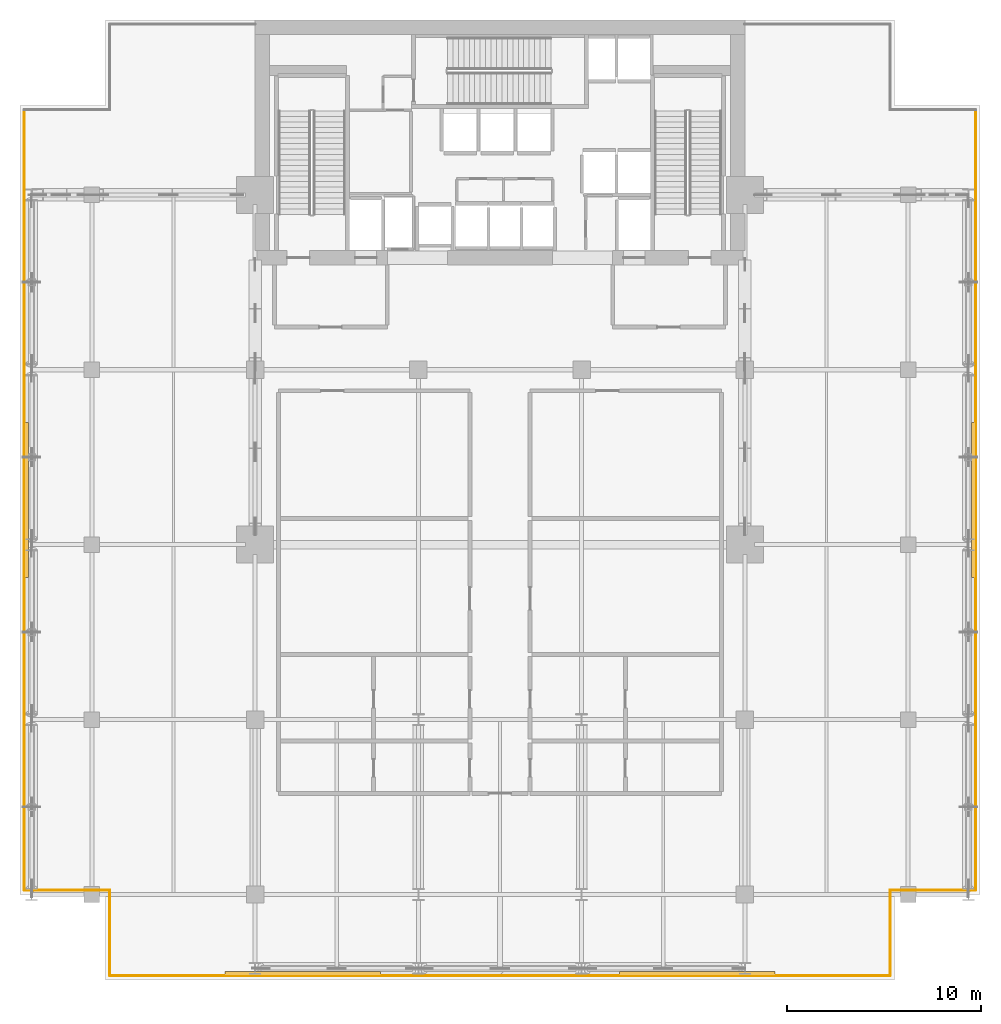
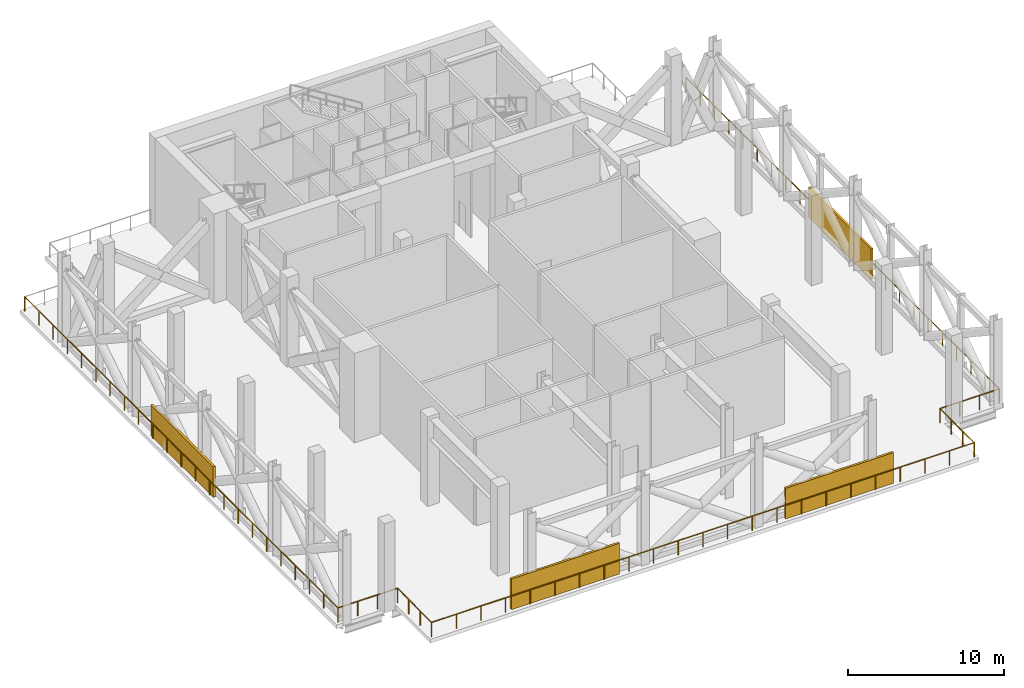
# One storey, part 12 of 14: 7 railings, 4 shading devices.
"""IFC4 building model written with IfcOpenShell, lengths in metres."""

from ifc_helpers import new_model, si_unit, direction, frame, origin, origin_2d, place, context, subcontext, project, spatial, rectangle, circle, extrude, material, layer, layer_set, type_object, element, save


model = new_model("IFC4")

# Units and contexts
model_context = context("Model", 3, precision=1e-05, world=origin(), true_north=direction((0.0, 1.0)))
body_context = subcontext(model_context, "Body", "Model", "MODEL_VIEW")
ifc_project = project(units=[si_unit("LENGTHUNIT", "METRE"), si_unit("AREAUNIT", "SQUARE_METRE"), si_unit("VOLUMEUNIT", "CUBIC_METRE"), si_unit("PLANEANGLEUNIT", "RADIAN"), si_unit("MASSUNIT", "GRAM", prefix="KILO")], contexts=[model_context])

# Site, building, storey
site_placement = place(None, origin())
site = spatial("IfcSite", under=ifc_project, at=site_placement, CompositionType="ELEMENT")
building_placement = place(site_placement, origin())
building = spatial("IfcBuilding", under=site, at=building_placement, Name="Maruvema Waterfront Hotel and Observation Tower", CompositionType="ELEMENT")
storey_placement = place(building_placement, frame((0.0, 0.0, 227.5)))
storey = spatial("IfcBuildingStorey", under=building, at=storey_placement, Name="L56", CompositionType="ELEMENT", Elevation=227.5)

# Shading devices
ifc_material_1 = material(Name="Anodised architectural bronze aluminium", Category="aluminium")
ifc_layer = layer(ifc_material_1, 0.14990234375, Name="Acoustic Weatherproof Plant Louvre Panel 150 mm")
ifc_layer_set = layer_set([ifc_layer], Name="Anodised architectural bronze aluminium")
shading_device_type = type_object("IfcShadingDeviceType", Name="Acoustic Weatherproof Plant Louvre Panel 150 mm", PredefinedType="JALOUSIE", material=ifc_layer_set)
for number, where, z_axis, x_axis, name in (
    (1, (27.64990234375, 4.949951171875, 0.0), (0.0, 0.0, 1.0), (1.0, 0.0, 0.0), "L56 Wind-Floor Acoustic Weather Louvre S1"),
    (2, (47.949951171875, 4.949951171875, 0.0), (0.0, 0.0, 1.0), (1.0, 0.0, 0.0), "L56 Wind-Floor Acoustic Weather Louvre S2"),
    (3, (13.449951171875, 29.300048828125, 0.0), (0.0, 0.0, 1.0), (0.0, 1.0, 0.0), "L56 Wind-Floor Acoustic Weather Louvre W1"),
    (4, (62.14990234375, 29.300048828125, 0.0), (0.0, 0.0, 1.0), (0.0, 1.0, 0.0), "L56 Wind-Floor Acoustic Weather Louvre E1"),
):
    element("IfcShadingDevice", number, at=place(storey_placement, frame(where, z_axis=z_axis, x_axis=x_axis)), inside=storey, type_object=shading_device_type, Name=name, PredefinedType="JALOUSIE", context=body_context, shape_type="SweptSolid", body=[
        extrude(rectangle(XDim=8.0, YDim=0.159912109375, at=origin_2d()), origin(), (0.0, 0.0, 1.0), 2.39990234375),
    ])

# Railings
ifc_material_2 = material(Name="Duplex stainless steel Grade 2205 and laminated glass", Category="steel")
railing_type = type_object("IfcRailingType", Name="Wind-Floor Open Deck Safety Balustrade 1150 mm", PredefinedType="BALUSTRADE", material=ifc_material_2)
railing_1_placement = place(storey_placement, frame((17.719970703125, 4.820068359375, 0.0)))
element("IfcRailing", 5, at=railing_1_placement, inside=storey, type_object=railing_type, Name="L56 Perimeter Safety Balustrade 1", PredefinedType="BALUSTRADE", context=body_context, shape_type="SweptSolid", body=[
    extrude(circle(Radius=0.02392578125, at=origin_2d()), frame((0.0, 0.0, 1.1259765625), z_axis=(0.0, 1.0, 0.0), x_axis=(-1.0, 0.0, 0.0)), (0.0, 0.0, 1.0), 4.39990234375),
    extrude(circle(Radius=0.02099609375, at=origin_2d()), origin(), (0.0, 0.0, 1.0), 1.101806640625),
    extrude(circle(Radius=0.02099609375, at=origin_2d()), frame((0.0, 1.466552734375, 0.0)), (0.0, 0.0, 1.0), 1.101806640625),
    extrude(circle(Radius=0.02099609375, at=origin_2d()), frame((0.0, 2.933349609375, 0.0)), (0.0, 0.0, 1.0), 1.101806640625),
    extrude(circle(Radius=0.02099609375, at=origin_2d()), frame((0.0, 4.39990234375, 0.0)), (0.0, 0.0, 1.0), 1.101806640625),
])
railing_2_placement = place(storey_placement, frame((17.719970703125, 9.219970703125, 0.0)))
element("IfcRailing", 6, at=railing_2_placement, inside=storey, type_object=railing_type, Name="L56 Perimeter Safety Balustrade 2", PredefinedType="BALUSTRADE", context=body_context, shape_type="SweptSolid", body=[
    extrude(circle(Radius=0.02392578125, at=origin_2d()), frame((0.0, 0.0, 1.1259765625), z_axis=(-1.0, 0.0, 0.0), x_axis=(0.0, -1.0, 0.0)), (0.0, 0.0, 1.0), 4.39990234375),
    extrude(circle(Radius=0.02099609375, at=origin_2d()), origin(), (0.0, 0.0, 1.0), 1.101806640625),
    extrude(circle(Radius=0.02099609375, at=origin_2d()), frame((-1.466552734375, 0.0, 0.0)), (0.0, 0.0, 1.0), 1.101806640625),
    extrude(circle(Radius=0.02099609375, at=origin_2d()), frame((-2.933349609375, 0.0, 0.0)), (0.0, 0.0, 1.0), 1.101806640625),
    extrude(circle(Radius=0.02099609375, at=origin_2d()), frame((-4.39990234375, 0.0, 0.0)), (0.0, 0.0, 1.0), 1.101806640625),
])
railing_3_placement = place(storey_placement, frame((13.320068359375, 9.219970703125, 0.0)))
element("IfcRailing", 7, at=railing_3_placement, inside=storey, type_object=railing_type, Name="L56 Perimeter Safety Balustrade 3", PredefinedType="BALUSTRADE", context=body_context, shape_type="SweptSolid", body=[
    extrude(circle(Radius=0.02392578125, at=origin_2d()), frame((0.0, 0.0, 1.1259765625), z_axis=(0.0, 1.0, 0.0), x_axis=(-1.0, 0.0, 0.0)), (0.0, 0.0, 1.0), 40.159912109375),
    extrude(circle(Radius=0.02099609375, at=origin_2d()), origin(), (0.0, 0.0, 1.0), 1.101806640625),
    extrude(circle(Radius=0.02099609375, at=origin_2d()), frame((0.0, 1.825439453125, 0.0)), (0.0, 0.0, 1.0), 1.101806640625),
    extrude(circle(Radius=0.02099609375, at=origin_2d()), frame((0.0, 3.65087890625, 0.0)), (0.0, 0.0, 1.0), 1.101806640625),
    extrude(circle(Radius=0.02099609375, at=origin_2d()), frame((0.0, 5.476318359375, 0.0)), (0.0, 0.0, 1.0), 1.101806640625),
    extrude(circle(Radius=0.02099609375, at=origin_2d()), frame((0.0, 7.3017578125, 0.0)), (0.0, 0.0, 1.0), 1.101806640625),
    extrude(circle(Radius=0.02099609375, at=origin_2d()), frame((0.0, 9.127197265625, 0.0)), (0.0, 0.0, 1.0), 1.101806640625),
    extrude(circle(Radius=0.02099609375, at=origin_2d()), frame((0.0, 10.95263671875, 0.0)), (0.0, 0.0, 1.0), 1.101806640625),
    extrude(circle(Radius=0.02099609375, at=origin_2d()), frame((0.0, 12.778076171875, 0.0)), (0.0, 0.0, 1.0), 1.101806640625),
    extrude(circle(Radius=0.02099609375, at=origin_2d()), frame((0.0, 14.603515625, 0.0)), (0.0, 0.0, 1.0), 1.101806640625),
    extrude(circle(Radius=0.02099609375, at=origin_2d()), frame((0.0, 16.428955078125, 0.0)), (0.0, 0.0, 1.0), 1.101806640625),
    extrude(circle(Radius=0.02099609375, at=origin_2d()), frame((0.0, 18.25439453125, 0.0)), (0.0, 0.0, 1.0), 1.101806640625),
    extrude(circle(Radius=0.02099609375, at=origin_2d()), frame((0.0, 20.080078125, 0.0)), (0.0, 0.0, 1.0), 1.101806640625),
    extrude(circle(Radius=0.02099609375, at=origin_2d()), frame((0.0, 21.905517578125, 0.0)), (0.0, 0.0, 1.0), 1.101806640625),
    extrude(circle(Radius=0.02099609375, at=origin_2d()), frame((0.0, 23.73095703125, 0.0)), (0.0, 0.0, 1.0), 1.101806640625),
    extrude(circle(Radius=0.02099609375, at=origin_2d()), frame((0.0, 25.556396484375, 0.0)), (0.0, 0.0, 1.0), 1.101806640625),
    extrude(circle(Radius=0.02099609375, at=origin_2d()), frame((0.0, 27.3818359375, 0.0)), (0.0, 0.0, 1.0), 1.101806640625),
    extrude(circle(Radius=0.02099609375, at=origin_2d()), frame((0.0, 29.207275390625, 0.0)), (0.0, 0.0, 1.0), 1.101806640625),
    extrude(circle(Radius=0.02099609375, at=origin_2d()), frame((0.0, 31.03271484375, 0.0)), (0.0, 0.0, 1.0), 1.101806640625),
    extrude(circle(Radius=0.02099609375, at=origin_2d()), frame((0.0, 32.858154296875, 0.0)), (0.0, 0.0, 1.0), 1.101806640625),
    extrude(circle(Radius=0.02099609375, at=origin_2d()), frame((0.0, 34.68359375, 0.0)), (0.0, 0.0, 1.0), 1.101806640625),
    extrude(circle(Radius=0.02099609375, at=origin_2d()), frame((0.0, 36.509033203125, 0.0)), (0.0, 0.0, 1.0), 1.101806640625),
    extrude(circle(Radius=0.02099609375, at=origin_2d()), frame((0.0, 38.33447265625, 0.0)), (0.0, 0.0, 1.0), 1.101806640625),
    extrude(circle(Radius=0.02099609375, at=origin_2d()), frame((0.0, 40.159912109375, 0.0)), (0.0, 0.0, 1.0), 1.101806640625),
])
railing_4_placement = place(storey_placement, frame((62.280029296875, 49.3798828125, 0.0)))
element("IfcRailing", 8, at=railing_4_placement, inside=storey, type_object=railing_type, Name="L56 Perimeter Safety Balustrade 10", PredefinedType="BALUSTRADE", context=body_context, shape_type="SweptSolid", body=[
    extrude(circle(Radius=0.02392578125, at=origin_2d()), frame((0.0, 0.0, 1.1259765625), z_axis=(0.0, -1.0, 0.0), x_axis=(1.0, 0.0, 0.0)), (0.0, 0.0, 1.0), 40.159912109375),
    extrude(circle(Radius=0.02099609375, at=origin_2d()), origin(), (0.0, 0.0, 1.0), 1.101806640625),
    extrude(circle(Radius=0.02099609375, at=origin_2d()), frame((0.0, -1.825439453125, 0.0)), (0.0, 0.0, 1.0), 1.101806640625),
    extrude(circle(Radius=0.02099609375, at=origin_2d()), frame((0.0, -3.65087890625, 0.0)), (0.0, 0.0, 1.0), 1.101806640625),
    extrude(circle(Radius=0.02099609375, at=origin_2d()), frame((0.0, -5.476318359375, 0.0)), (0.0, 0.0, 1.0), 1.101806640625),
    extrude(circle(Radius=0.02099609375, at=origin_2d()), frame((0.0, -7.3017578125, 0.0)), (0.0, 0.0, 1.0), 1.101806640625),
    extrude(circle(Radius=0.02099609375, at=origin_2d()), frame((0.0, -9.127197265625, 0.0)), (0.0, 0.0, 1.0), 1.101806640625),
    extrude(circle(Radius=0.02099609375, at=origin_2d()), frame((0.0, -10.95263671875, 0.0)), (0.0, 0.0, 1.0), 1.101806640625),
    extrude(circle(Radius=0.02099609375, at=origin_2d()), frame((0.0, -12.778076171875, 0.0)), (0.0, 0.0, 1.0), 1.101806640625),
    extrude(circle(Radius=0.02099609375, at=origin_2d()), frame((0.0, -14.603515625, 0.0)), (0.0, 0.0, 1.0), 1.101806640625),
    extrude(circle(Radius=0.02099609375, at=origin_2d()), frame((0.0, -16.428955078125, 0.0)), (0.0, 0.0, 1.0), 1.101806640625),
    extrude(circle(Radius=0.02099609375, at=origin_2d()), frame((0.0, -18.25439453125, 0.0)), (0.0, 0.0, 1.0), 1.101806640625),
    extrude(circle(Radius=0.02099609375, at=origin_2d()), frame((0.0, -20.080078125, 0.0)), (0.0, 0.0, 1.0), 1.101806640625),
    extrude(circle(Radius=0.02099609375, at=origin_2d()), frame((0.0, -21.905517578125, 0.0)), (0.0, 0.0, 1.0), 1.101806640625),
    extrude(circle(Radius=0.02099609375, at=origin_2d()), frame((0.0, -23.73095703125, 0.0)), (0.0, 0.0, 1.0), 1.101806640625),
    extrude(circle(Radius=0.02099609375, at=origin_2d()), frame((0.0, -25.556396484375, 0.0)), (0.0, 0.0, 1.0), 1.101806640625),
    extrude(circle(Radius=0.02099609375, at=origin_2d()), frame((0.0, -27.3818359375, 0.0)), (0.0, 0.0, 1.0), 1.101806640625),
    extrude(circle(Radius=0.02099609375, at=origin_2d()), frame((0.0, -29.207275390625, 0.0)), (0.0, 0.0, 1.0), 1.101806640625),
    extrude(circle(Radius=0.02099609375, at=origin_2d()), frame((0.0, -31.03271484375, 0.0)), (0.0, 0.0, 1.0), 1.101806640625),
    extrude(circle(Radius=0.02099609375, at=origin_2d()), frame((0.0, -32.858154296875, 0.0)), (0.0, 0.0, 1.0), 1.101806640625),
    extrude(circle(Radius=0.02099609375, at=origin_2d()), frame((0.0, -34.68359375, 0.0)), (0.0, 0.0, 1.0), 1.101806640625),
    extrude(circle(Radius=0.02099609375, at=origin_2d()), frame((0.0, -36.509033203125, 0.0)), (0.0, 0.0, 1.0), 1.101806640625),
    extrude(circle(Radius=0.02099609375, at=origin_2d()), frame((0.0, -38.33447265625, 0.0)), (0.0, 0.0, 1.0), 1.101806640625),
    extrude(circle(Radius=0.02099609375, at=origin_2d()), frame((0.0, -40.159912109375, 0.0)), (0.0, 0.0, 1.0), 1.101806640625),
])
railing_5_placement = place(storey_placement, frame((62.280029296875, 9.219970703125, 0.0)))
element("IfcRailing", 9, at=railing_5_placement, inside=storey, type_object=railing_type, Name="L56 Perimeter Safety Balustrade 11", PredefinedType="BALUSTRADE", context=body_context, shape_type="SweptSolid", body=[
    extrude(circle(Radius=0.02392578125, at=origin_2d()), frame((0.0, 0.0, 1.1259765625), z_axis=(-1.0, 0.0, 0.0), x_axis=(0.0, -1.0, 0.0)), (0.0, 0.0, 1.0), 4.400146484375),
    extrude(circle(Radius=0.02099609375, at=origin_2d()), origin(), (0.0, 0.0, 1.0), 1.101806640625),
    extrude(circle(Radius=0.02099609375, at=origin_2d()), frame((-1.466796875, 0.0, 0.0)), (0.0, 0.0, 1.0), 1.101806640625),
    extrude(circle(Radius=0.02099609375, at=origin_2d()), frame((-2.933349609375, 0.0, 0.0)), (0.0, 0.0, 1.0), 1.101806640625),
    extrude(circle(Radius=0.02099609375, at=origin_2d()), frame((-4.400146484375, 0.0, 0.0)), (0.0, 0.0, 1.0), 1.101806640625),
])
railing_6_placement = place(storey_placement, frame((57.8798828125, 9.219970703125, 0.0)))
element("IfcRailing", 10, at=railing_6_placement, inside=storey, type_object=railing_type, Name="L56 Perimeter Safety Balustrade 12", PredefinedType="BALUSTRADE", context=body_context, shape_type="SweptSolid", body=[
    extrude(circle(Radius=0.02392578125, at=origin_2d()), frame((0.0, 0.0, 1.1259765625), z_axis=(0.0, -1.0, 0.0), x_axis=(1.0, 0.0, 0.0)), (0.0, 0.0, 1.0), 4.39990234375),
    extrude(circle(Radius=0.02099609375, at=origin_2d()), origin(), (0.0, 0.0, 1.0), 1.101806640625),
    extrude(circle(Radius=0.02099609375, at=origin_2d()), frame((0.0, -1.466552734375, 0.0)), (0.0, 0.0, 1.0), 1.101806640625),
    extrude(circle(Radius=0.02099609375, at=origin_2d()), frame((0.0, -2.933349609375, 0.0)), (0.0, 0.0, 1.0), 1.101806640625),
    extrude(circle(Radius=0.02099609375, at=origin_2d()), frame((0.0, -4.39990234375, 0.0)), (0.0, 0.0, 1.0), 1.101806640625),
])
railing_7_placement = place(storey_placement, frame((57.8798828125, 4.820068359375, 0.0)))
element("IfcRailing", 11, at=railing_7_placement, inside=storey, type_object=railing_type, Name="L56 Perimeter Safety Balustrade 13", PredefinedType="BALUSTRADE", context=body_context, shape_type="SweptSolid", body=[
    extrude(circle(Radius=0.02392578125, at=origin_2d()), frame((0.0, 0.0, 1.1259765625), z_axis=(-1.0, 0.0, 0.0), x_axis=(0.0, -1.0, 0.0)), (0.0, 0.0, 1.0), 40.159912109375),
    extrude(circle(Radius=0.02099609375, at=origin_2d()), origin(), (0.0, 0.0, 1.0), 1.101806640625),
    extrude(circle(Radius=0.02099609375, at=origin_2d()), frame((-1.825439453125, 0.0, 0.0)), (0.0, 0.0, 1.0), 1.101806640625),
    extrude(circle(Radius=0.02099609375, at=origin_2d()), frame((-3.65087890625, 0.0, 0.0)), (0.0, 0.0, 1.0), 1.101806640625),
    extrude(circle(Radius=0.02099609375, at=origin_2d()), frame((-5.476318359375, 0.0, 0.0)), (0.0, 0.0, 1.0), 1.101806640625),
    extrude(circle(Radius=0.02099609375, at=origin_2d()), frame((-7.3017578125, 0.0, 0.0)), (0.0, 0.0, 1.0), 1.101806640625),
    extrude(circle(Radius=0.02099609375, at=origin_2d()), frame((-9.127197265625, 0.0, 0.0)), (0.0, 0.0, 1.0), 1.101806640625),
    extrude(circle(Radius=0.02099609375, at=origin_2d()), frame((-10.95263671875, 0.0, 0.0)), (0.0, 0.0, 1.0), 1.101806640625),
    extrude(circle(Radius=0.02099609375, at=origin_2d()), frame((-12.778076171875, 0.0, 0.0)), (0.0, 0.0, 1.0), 1.101806640625),
    extrude(circle(Radius=0.02099609375, at=origin_2d()), frame((-14.603515625, 0.0, 0.0)), (0.0, 0.0, 1.0), 1.101806640625),
    extrude(circle(Radius=0.02099609375, at=origin_2d()), frame((-16.428955078125, 0.0, 0.0)), (0.0, 0.0, 1.0), 1.101806640625),
    extrude(circle(Radius=0.02099609375, at=origin_2d()), frame((-18.25439453125, 0.0, 0.0)), (0.0, 0.0, 1.0), 1.101806640625),
    extrude(circle(Radius=0.02099609375, at=origin_2d()), frame((-20.080078125, 0.0, 0.0)), (0.0, 0.0, 1.0), 1.101806640625),
    extrude(circle(Radius=0.02099609375, at=origin_2d()), frame((-21.905517578125, 0.0, 0.0)), (0.0, 0.0, 1.0), 1.101806640625),
    extrude(circle(Radius=0.02099609375, at=origin_2d()), frame((-23.73095703125, 0.0, 0.0)), (0.0, 0.0, 1.0), 1.101806640625),
    extrude(circle(Radius=0.02099609375, at=origin_2d()), frame((-25.556396484375, 0.0, 0.0)), (0.0, 0.0, 1.0), 1.101806640625),
    extrude(circle(Radius=0.02099609375, at=origin_2d()), frame((-27.3818359375, 0.0, 0.0)), (0.0, 0.0, 1.0), 1.101806640625),
    extrude(circle(Radius=0.02099609375, at=origin_2d()), frame((-29.207275390625, 0.0, 0.0)), (0.0, 0.0, 1.0), 1.101806640625),
    extrude(circle(Radius=0.02099609375, at=origin_2d()), frame((-31.03271484375, 0.0, 0.0)), (0.0, 0.0, 1.0), 1.101806640625),
    extrude(circle(Radius=0.02099609375, at=origin_2d()), frame((-32.858154296875, 0.0, 0.0)), (0.0, 0.0, 1.0), 1.101806640625),
    extrude(circle(Radius=0.02099609375, at=origin_2d()), frame((-34.68359375, 0.0, 0.0)), (0.0, 0.0, 1.0), 1.101806640625),
    extrude(circle(Radius=0.02099609375, at=origin_2d()), frame((-36.509033203125, 0.0, 0.0)), (0.0, 0.0, 1.0), 1.101806640625),
    extrude(circle(Radius=0.02099609375, at=origin_2d()), frame((-38.33447265625, 0.0, 0.0)), (0.0, 0.0, 1.0), 1.101806640625),
    extrude(circle(Radius=0.02099609375, at=origin_2d()), frame((-40.159912109375, 0.0, 0.0)), (0.0, 0.0, 1.0), 1.101806640625),
])

save(model, "model.ifc")
